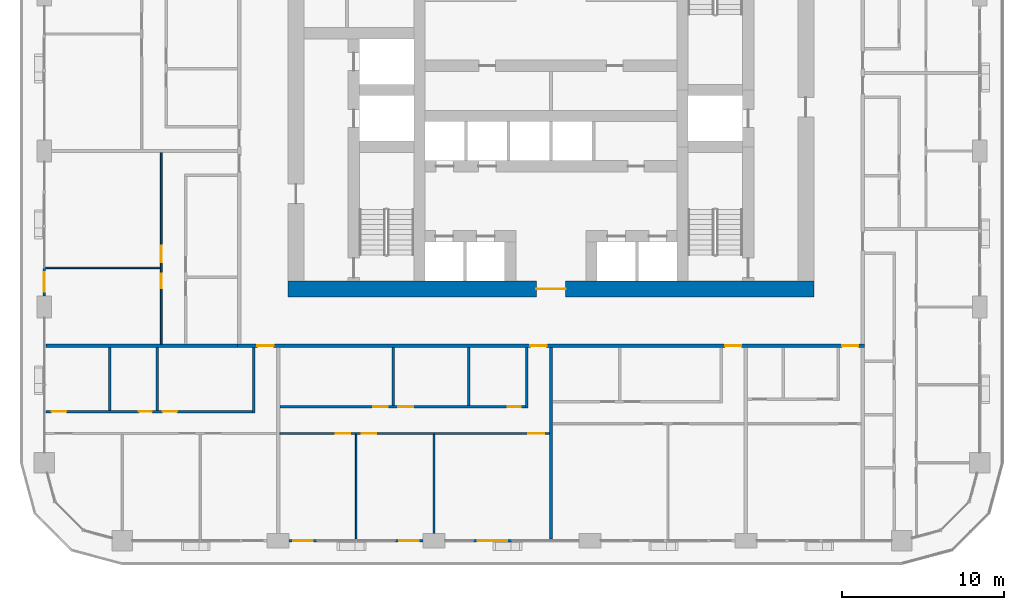
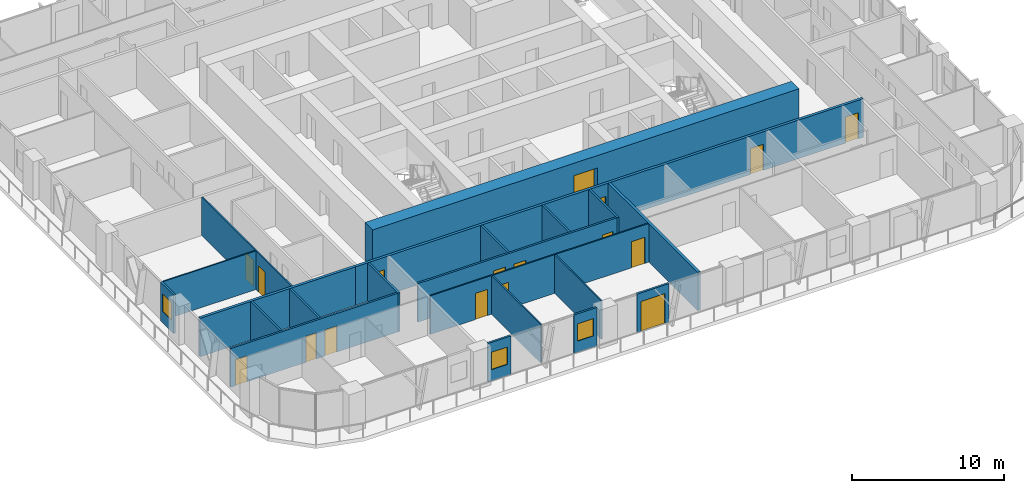
# One storey, part 9 of 21: 21 walls, 17 doors, 3 windows, 20 openings.
"""IFC4 building model written with IfcOpenShell, lengths in metres."""

from ifc_helpers import new_model, si_unit, direction, frame, frame_2d, origin, place, context, subcontext, project, spatial, rectangle, extrude, material, layer, layer_set, type_object, element, fill, save


model = new_model("IFC4")

# Units and contexts
model_context = context("Model", 3, precision=1e-05, world=origin(), true_north=direction((0.0, 1.0)))
body_context = subcontext(model_context, "Body", "Model", "MODEL_VIEW")
ifc_project = project(units=[si_unit("LENGTHUNIT", "METRE"), si_unit("AREAUNIT", "SQUARE_METRE"), si_unit("VOLUMEUNIT", "CUBIC_METRE"), si_unit("PLANEANGLEUNIT", "RADIAN"), si_unit("MASSUNIT", "GRAM", prefix="KILO")], contexts=[model_context])

# Site, building, storey
site_placement = place(None, origin())
site = spatial("IfcSite", under=ifc_project, at=site_placement, CompositionType="ELEMENT")
building_placement = place(site_placement, origin())
building = spatial("IfcBuilding", under=site, at=building_placement, Name="Madar Terraces", CompositionType="ELEMENT")
storey_placement = place(building_placement, frame((0.0, 0.0, 50.39990234375)))
storey = spatial("IfcBuildingStorey", under=building, at=storey_placement, Name="L12", CompositionType="ELEMENT", Elevation=50.39990234375)

# Wall, opening, door
ifc_material_1 = material(Name="Concrete C80/95", Category="concrete")
ifc_layer_1 = layer(ifc_material_1, 1.0)
ifc_layer_set_1 = layer_set([ifc_layer_1], Name="Concrete C80/95 (CRW1 RC wall 1000)")
wall_type_1 = type_object("IfcWallType", Name="CRW1 RC wall 1000", PredefinedType="SHEAR", material=ifc_layer_set_1)
wall_1_placement = place(storey_placement, frame((15.0, 15.5, 0.0), z_axis=(0.0, 0.0, 1.0), x_axis=(1.0, 0.0, 0.0)))
wall_1 = element("IfcWall", 1, at=wall_1_placement, inside=storey, type_object=wall_type_1, Name="CORE OUTER WALL", PredefinedType="SHEAR", context=body_context, shape_type="SweptSolid", body=[
    extrude(rectangle(XDim=32.39990234375, YDim=1.0, at=frame_2d((16.199951171875, 0.0))), origin(), (0.0, 0.0, 1.0), 3.10009765625),
])
opening_1_placement = place(wall_1_placement, frame((15.300048828125, 0.0, 0.0)))
opening_1 = element("IfcOpeningElement", 2, at=opening_1_placement, cuts=wall_1, Name="Opening KD1", PredefinedType="OPENING", context=body_context, shape_type="SweptSolid", body=[
    extrude(rectangle(XDim=1.800048828125, YDim=2.10009765625, at=frame_2d((0.89990234375, 1.050048828125))), frame((0.0, 0.510009765625, 0.0), z_axis=(0.0, -1.0, 0.0), x_axis=(1.0, 0.0, 0.0)), (0.0, 0.0, 1.0), 1.02001953125),
])
ifc_material_2 = material(Name="Steel door leaf", Category="steel")
door_type_1 = type_object("IfcDoorType", Name="Lobby door pair 1800 x 2100", OperationType="DOUBLE_DOOR_SINGLE_SWING", PredefinedType="DOOR", material=ifc_material_2)
door_1_placement = place(opening_1_placement, frame((1.800048828125, 0.0, 0.0), z_axis=(0.0, 0.0, 1.0), x_axis=(-1.0, 0.0, 0.0)))
door_1 = element("IfcDoor", 3, at=door_1_placement, inside=storey, type_object=door_type_1, Name="LIFT LOBBY DOOR", OperationType="DOUBLE_DOOR_SINGLE_SWING", OverallHeight=2.10009765625, OverallWidth=1.800048828125, PredefinedType="DOOR", context=body_context, shape_type="SweptSolid", body=[
    extrude(rectangle(XDim=1.800048828125, YDim=2.10009765625, at=frame_2d((0.89990234375, 1.050048828125))), frame((0.0, 0.02490234375, 0.0), z_axis=(0.0, -1.0, 0.0), x_axis=(1.0, 0.0, 0.0)), (0.0, 0.0, 1.0), 0.050048828125),
])
fill(opening_1, door_1)

# Wall, opening, window
ifc_material_3 = material(Name="Aluminium composite panel, black, over insulated backing", Category="aluminium")
ifc_layer_2 = layer(ifc_material_3, 0.14990234375)
ifc_layer_set_2 = layer_set([ifc_layer_2], Name="Facade bay panel 150")
wall_type_2 = type_object("IfcWallType", Name="Facade bay panel 150", PredefinedType="SOLIDWALL", material=ifc_layer_set_2)
wall_2_placement = place(storey_placement, frame((15.074951171875, 0.0, 0.0), z_axis=(0.0, 0.0, 1.0), x_axis=(1.0, 0.0, 0.0)))
wall_2 = element("IfcWall", 4, at=wall_2_placement, inside=storey, type_object=wall_type_2, Name="Facade bay panel", PredefinedType="SOLIDWALL", context=body_context, shape_type="SweptSolid", body=[
    extrude(rectangle(XDim=1.72509765625, YDim=0.14990234375, at=frame_2d((0.862548828125, 0.0))), origin(), (0.0, 0.0, 1.0), 3.10009765625),
])
opening_2_placement = place(wall_2_placement, frame((0.262451171875, 0.0, 0.89990234375)))
opening_2 = element("IfcOpeningElement", 5, at=opening_2_placement, cuts=wall_2, Name="Opening W1", PredefinedType="OPENING", context=body_context, shape_type="SweptSolid", body=[
    extrude(rectangle(XDim=1.199951171875, YDim=1.39990234375, at=frame_2d((0.60009765625, 0.699951171875))), frame((0.0, 0.0849609375, 0.0), z_axis=(0.0, -1.0, 0.0), x_axis=(1.0, 0.0, 0.0)), (0.0, 0.0, 1.0), 0.169921875),
])
ifc_material_4 = material(Name="Glass, clear, with black aluminium frame", Category="aluminium")
window_type = type_object("IfcWindowType", Name="Vent window 1200 x 1400", PartitioningType="SINGLE_PANEL", PredefinedType="WINDOW", material=ifc_material_4)
window_1_placement = place(opening_2_placement, origin())
window_1 = element("IfcWindow", 6, at=window_1_placement, inside=storey, type_object=window_type, Name="Operable vent window", OverallHeight=1.39990234375, OverallWidth=1.199951171875, PartitioningType="SINGLE_PANEL", PredefinedType="WINDOW", context=body_context, shape_type="SweptSolid", body=[
    extrude(rectangle(XDim=1.199951171875, YDim=1.39990234375, at=frame_2d((0.60009765625, 0.699951171875))), frame((0.0, 0.030029296875, 0.0), z_axis=(0.0, -1.0, 0.0), x_axis=(1.0, 0.0, 0.0)), (0.0, 0.0, 1.0), 0.06005859375),
])
fill(opening_2, window_1)

wall_3_placement = place(storey_placement, frame((21.60009765625, 0.0, 0.0), z_axis=(0.0, 0.0, 1.0), x_axis=(1.0, 0.0, 0.0)))
wall_3 = element("IfcWall", 7, at=wall_3_placement, inside=storey, type_object=wall_type_2, Name="Facade bay panel", PredefinedType="SOLIDWALL", context=body_context, shape_type="SweptSolid", body=[
    extrude(rectangle(XDim=1.724853515625, YDim=0.14990234375, at=frame_2d((0.8623046875, 0.0))), origin(), (0.0, 0.0, 1.0), 3.10009765625),
])
opening_3_placement = place(wall_3_placement, frame((0.262451171875, 0.0, 0.89990234375)))
opening_3 = element("IfcOpeningElement", 8, at=opening_3_placement, cuts=wall_3, Name="Opening W1", PredefinedType="OPENING", context=body_context, shape_type="SweptSolid", body=[
    extrude(rectangle(XDim=1.199951171875, YDim=1.39990234375, at=frame_2d((0.60009765625, 0.699951171875))), frame((0.0, 0.0849609375, 0.0), z_axis=(0.0, -1.0, 0.0), x_axis=(1.0, 0.0, 0.0)), (0.0, 0.0, 1.0), 0.169921875),
])
window_2_placement = place(opening_3_placement, origin())
window_2 = element("IfcWindow", 9, at=window_2_placement, inside=storey, type_object=window_type, Name="Operable vent window", OverallHeight=1.39990234375, OverallWidth=1.199951171875, PartitioningType="SINGLE_PANEL", PredefinedType="WINDOW", context=body_context, shape_type="SweptSolid", body=[
    extrude(rectangle(XDim=1.199951171875, YDim=1.39990234375, at=frame_2d((0.60009765625, 0.699951171875))), frame((0.0, 0.030029296875, 0.0), z_axis=(0.0, -1.0, 0.0), x_axis=(1.0, 0.0, 0.0)), (0.0, 0.0, 1.0), 0.06005859375),
])
fill(opening_3, window_2)

# Wall, opening, door
wall_4_placement = place(storey_placement, frame((26.39990234375, 0.0, 0.0), z_axis=(0.0, 0.0, 1.0), x_axis=(1.0, 0.0, 0.0)))
wall_4 = element("IfcWall", 10, at=wall_4_placement, inside=storey, type_object=wall_type_2, Name="Facade bay panel", PredefinedType="SOLIDWALL", context=body_context, shape_type="SweptSolid", body=[
    extrude(rectangle(XDim=2.400146484375, YDim=0.14990234375, at=frame_2d((1.2001953125, 0.0))), origin(), (0.0, 0.0, 1.0), 3.10009765625),
])
opening_4_placement = place(wall_4_placement, frame((0.300048828125, 0.0, 0.0)))
opening_4 = element("IfcOpeningElement", 11, at=opening_4_placement, cuts=wall_4, Name="Opening ED1", PredefinedType="OPENING", context=body_context, shape_type="SweptSolid", body=[
    extrude(rectangle(XDim=1.800048828125, YDim=2.39990234375, at=frame_2d((0.89990234375, 1.199951171875))), frame((0.0, 0.0849609375, 0.0), z_axis=(0.0, -1.0, 0.0), x_axis=(1.0, 0.0, 0.0)), (0.0, 0.0, 1.0), 0.169921875),
])
ifc_material_5 = material(Name="Glass, clear, with black aluminium frame", Category="aluminium")
door_type_2 = type_object("IfcDoorType", Name="Balcony and terrace sliding door 1800 x 2400", OperationType="SLIDING_TO_LEFT", PredefinedType="DOOR", material=ifc_material_5)
door_2_placement = place(opening_4_placement, origin())
door_2 = element("IfcDoor", 12, at=door_2_placement, inside=storey, type_object=door_type_2, Name="Balcony door", OperationType="SLIDING_TO_LEFT", OverallHeight=2.39990234375, OverallWidth=1.800048828125, PredefinedType="DOOR", context=body_context, shape_type="SweptSolid", body=[
    extrude(rectangle(XDim=1.800048828125, YDim=2.39990234375, at=frame_2d((0.89990234375, 1.199951171875))), frame((0.0, 0.02490234375, 0.0), z_axis=(0.0, -1.0, 0.0), x_axis=(1.0, 0.0, 0.0)), (0.0, 0.0, 1.0), 0.050048828125),
])
fill(opening_4, door_2)

# Wall, opening, window
wall_5_placement = place(storey_placement, frame((0.0, 16.800048828125, 0.0), z_axis=(0.0, 0.0, 1.0), x_axis=(0.0, -1.0, 0.0)))
wall_5 = element("IfcWall", 13, at=wall_5_placement, inside=storey, type_object=wall_type_2, Name="Facade bay panel", PredefinedType="SOLIDWALL", context=body_context, shape_type="SweptSolid", body=[
    extrude(rectangle(XDim=1.72509765625, YDim=0.14990234375, at=frame_2d((0.862548828125, 0.0))), origin(), (0.0, 0.0, 1.0), 3.10009765625),
])
opening_5_placement = place(wall_5_placement, frame((0.262451171875, 0.0, 0.89990234375)))
opening_5 = element("IfcOpeningElement", 14, at=opening_5_placement, cuts=wall_5, Name="Opening W1", PredefinedType="OPENING", context=body_context, shape_type="SweptSolid", body=[
    extrude(rectangle(XDim=1.199951171875, YDim=1.39990234375, at=frame_2d((0.60009765625, 0.699951171875))), frame((0.0, 0.0849609375, 0.0), z_axis=(0.0, -1.0, 0.0), x_axis=(1.0, 0.0, 0.0)), (0.0, 0.0, 1.0), 0.169921875),
])
window_3_placement = place(opening_5_placement, origin())
window_3 = element("IfcWindow", 15, at=window_3_placement, inside=storey, type_object=window_type, Name="Operable vent window", OverallHeight=1.39990234375, OverallWidth=1.199951171875, PartitioningType="SINGLE_PANEL", PredefinedType="WINDOW", context=body_context, shape_type="SweptSolid", body=[
    extrude(rectangle(XDim=1.199951171875, YDim=1.39990234375, at=frame_2d((0.60009765625, 0.699951171875))), frame((0.0, 0.030029296875, 0.0), z_axis=(0.0, -1.0, 0.0), x_axis=(1.0, 0.0, 0.0)), (0.0, 0.0, 1.0), 0.06005859375),
])
fill(opening_5, window_3)

# Walls
ifc_material_6 = material(Name="Gypsum board on steel studs", Category="steel")
ifc_layer_3 = layer(ifc_material_6, 0.10009765625)
ifc_layer_set_3 = layer_set([ifc_layer_3], Name="Flat partition 100")
wall_type_3 = type_object("IfcWallType", Name="Flat partition 100", PredefinedType="PARTITIONING", material=ifc_layer_set_3)
wall_6_placement = place(storey_placement, frame((24.0, 6.550048828125, 0.0), z_axis=(0.0, 0.0, 1.0), x_axis=(0.0, -1.0, 0.0)))
element("IfcWall", 16, at=wall_6_placement, inside=storey, type_object=wall_type_3, Name="Flat partition 100", PredefinedType="PARTITIONING", context=body_context, shape_type="SweptSolid", body=[
    extrude(rectangle(XDim=6.10009765625, YDim=0.10009765625, at=frame_2d((3.050048828125, 0.0))), origin(), (0.0, 0.0, 1.0), 3.10009765625),
])
wall_7_placement = place(storey_placement, frame((19.199951171875, 6.550048828125, 0.0), z_axis=(0.0, 0.0, 1.0), x_axis=(0.0, -1.0, 0.0)))
element("IfcWall", 17, at=wall_7_placement, inside=storey, type_object=wall_type_3, Name="Flat partition 100", PredefinedType="PARTITIONING", context=body_context, shape_type="SweptSolid", body=[
    extrude(rectangle(XDim=6.449951171875, YDim=0.10009765625, at=frame_2d((3.22509765625, 0.0))), origin(), (0.0, 0.0, 1.0), 3.10009765625),
])

# Wall, openings, doors
wall_8_placement = place(storey_placement, frame((31.10009765625, 6.60009765625, 0.0), z_axis=(0.0, 0.0, 1.0), x_axis=(-1.0, 0.0, 0.0)))
wall_8 = element("IfcWall", 18, at=wall_8_placement, inside=storey, type_object=wall_type_3, Name="Flat partition 100", PredefinedType="PARTITIONING", context=body_context, shape_type="SweptSolid", body=[
    extrude(rectangle(XDim=16.60009765625, YDim=0.10009765625, at=frame_2d((8.300048828125, 0.0))), origin(), (0.0, 0.0, 1.0), 3.10009765625),
])
opening_6_placement = place(wall_8_placement, frame((0.300048828125, 0.0, 0.0)))
opening_6 = element("IfcOpeningElement", 19, at=opening_6_placement, cuts=wall_8, Name="Opening D3", PredefinedType="OPENING", context=body_context, shape_type="SweptSolid", body=[
    extrude(rectangle(XDim=1.0, YDim=2.10009765625, at=frame_2d((0.5, 1.050048828125))), frame((0.0, 0.06005859375, 0.0), z_axis=(0.0, -1.0, 0.0), x_axis=(1.0, 0.0, 0.0)), (0.0, 0.0, 1.0), 0.1201171875),
])
opening_7_placement = place(wall_8_placement, frame((10.64990234375, 0.0, 0.0)))
opening_7 = element("IfcOpeningElement", 20, at=opening_7_placement, cuts=wall_8, Name="Opening D2", PredefinedType="OPENING", context=body_context, shape_type="SweptSolid", body=[
    extrude(rectangle(XDim=0.89990234375, YDim=2.10009765625, at=frame_2d((0.449951171875, 1.050048828125))), frame((0.0, 0.06005859375, 0.0), z_axis=(0.0, -1.0, 0.0), x_axis=(1.0, 0.0, 0.0)), (0.0, 0.0, 1.0), 0.1201171875),
])
opening_8_placement = place(wall_8_placement, frame((12.25, 0.0, 0.0)))
opening_8 = element("IfcOpeningElement", 21, at=opening_8_placement, cuts=wall_8, Name="Opening D2", PredefinedType="OPENING", context=body_context, shape_type="SweptSolid", body=[
    extrude(rectangle(XDim=0.89990234375, YDim=2.10009765625, at=frame_2d((0.449951171875, 1.050048828125))), frame((0.0, 0.06005859375, 0.0), z_axis=(0.0, -1.0, 0.0), x_axis=(1.0, 0.0, 0.0)), (0.0, 0.0, 1.0), 0.1201171875),
])
ifc_material_7 = material(Name="Timber door leaf", Category="wood")
door_type_3 = type_object("IfcDoorType", Name="Flat living room door 1000", OperationType="NOTDEFINED", PredefinedType="DOOR", material=ifc_material_7)
door_3_placement = place(opening_6_placement, origin())
door_3 = element("IfcDoor", 22, at=door_3_placement, inside=storey, type_object=door_type_3, Name="Flat living room door 1000", OperationType="SINGLE_SWING_LEFT", OverallHeight=2.10009765625, OverallWidth=1.0, PredefinedType="DOOR", context=body_context, shape_type="SweptSolid", body=[
    extrude(rectangle(XDim=1.0, YDim=2.10009765625, at=frame_2d((0.5, 1.050048828125))), frame((0.0, 0.02490234375, 0.0), z_axis=(0.0, -1.0, 0.0), x_axis=(1.0, 0.0, 0.0)), (0.0, 0.0, 1.0), 0.050048828125),
])
fill(opening_6, door_3)
ifc_material_8 = material(Name="Timber door leaf", Category="wood")
door_type_4 = type_object("IfcDoorType", Name="Flat room door 900", OperationType="NOTDEFINED", PredefinedType="DOOR", material=ifc_material_8)
door_4_placement = place(opening_7_placement, origin())
door_4 = element("IfcDoor", 23, at=door_4_placement, inside=storey, type_object=door_type_4, Name="Flat room door 900", OperationType="SINGLE_SWING_RIGHT", OverallHeight=2.10009765625, OverallWidth=0.89990234375, PredefinedType="DOOR", context=body_context, shape_type="SweptSolid", body=[
    extrude(rectangle(XDim=0.89990234375, YDim=2.10009765625, at=frame_2d((0.449951171875, 1.050048828125))), frame((0.0, 0.02490234375, 0.0), z_axis=(0.0, -1.0, 0.0), x_axis=(1.0, 0.0, 0.0)), (0.0, 0.0, 1.0), 0.050048828125),
])
fill(opening_7, door_4)
door_5_placement = place(opening_8_placement, origin())
door_5 = element("IfcDoor", 24, at=door_5_placement, inside=storey, type_object=door_type_4, Name="Flat room door 900", OperationType="SINGLE_SWING_LEFT", OverallHeight=2.10009765625, OverallWidth=0.89990234375, PredefinedType="DOOR", context=body_context, shape_type="SweptSolid", body=[
    extrude(rectangle(XDim=0.89990234375, YDim=2.10009765625, at=frame_2d((0.449951171875, 1.050048828125))), frame((0.0, 0.02490234375, 0.0), z_axis=(0.0, -1.0, 0.0), x_axis=(1.0, 0.0, 0.0)), (0.0, 0.0, 1.0), 0.050048828125),
])
fill(opening_8, door_5)

# Wall
wall_9_placement = place(storey_placement, frame((7.14990234375, 16.800048828125, 0.0), z_axis=(0.0, 0.0, 1.0), x_axis=(-1.0, 0.0, 0.0)))
element("IfcWall", 25, at=wall_9_placement, inside=storey, type_object=wall_type_3, Name="Flat partition 100", PredefinedType="PARTITIONING", context=body_context, shape_type="SweptSolid", body=[
    extrude(rectangle(XDim=7.0498046875, YDim=0.10009765625, at=frame_2d((3.52490234375, 0.0))), origin(), (0.0, 0.0, 1.0), 3.10009765625),
])

# Wall, openings, doors
wall_10_placement = place(storey_placement, frame((7.199951171875, 12.10009765625, 0.0), z_axis=(0.0, 0.0, 1.0), x_axis=(0.0, 1.0, 0.0)))
wall_10 = element("IfcWall", 26, at=wall_10_placement, inside=storey, type_object=wall_type_3, Name="Flat partition 100", PredefinedType="PARTITIONING", context=body_context, shape_type="SweptSolid", body=[
    extrude(rectangle(XDim=11.7998046875, YDim=0.10009765625, at=frame_2d((5.89990234375, 0.0))), origin(), (0.0, 0.0, 1.0), 3.10009765625),
])
opening_9_placement = place(wall_10_placement, frame((5.050048828125, 0.0, 0.0)))
opening_9 = element("IfcOpeningElement", 27, at=opening_9_placement, cuts=wall_10, Name="Opening D3", PredefinedType="OPENING", context=body_context, shape_type="SweptSolid", body=[
    extrude(rectangle(XDim=1.0, YDim=2.10009765625, at=frame_2d((0.5, 1.050048828125))), frame((0.0, 0.06005859375, 0.0), z_axis=(0.0, -1.0, 0.0), x_axis=(1.0, 0.0, 0.0)), (0.0, 0.0, 1.0), 0.1201171875),
])
opening_10_placement = place(wall_10_placement, frame((3.449951171875, 0.0, 0.0)))
opening_10 = element("IfcOpeningElement", 28, at=opening_10_placement, cuts=wall_10, Name="Opening D2", PredefinedType="OPENING", context=body_context, shape_type="SweptSolid", body=[
    extrude(rectangle(XDim=0.89990234375, YDim=2.10009765625, at=frame_2d((0.449951171875, 1.050048828125))), frame((0.0, 0.06005859375, 0.0), z_axis=(0.0, -1.0, 0.0), x_axis=(1.0, 0.0, 0.0)), (0.0, 0.0, 1.0), 0.1201171875),
])
door_6_placement = place(opening_9_placement, origin())
door_6 = element("IfcDoor", 29, at=door_6_placement, inside=storey, type_object=door_type_3, Name="Flat living room door 1000", OperationType="SINGLE_SWING_LEFT", OverallHeight=2.10009765625, OverallWidth=1.0, PredefinedType="DOOR", context=body_context, shape_type="SweptSolid", body=[
    extrude(rectangle(XDim=1.0, YDim=2.10009765625, at=frame_2d((0.5, 1.050048828125))), frame((0.0, 0.02490234375, 0.0), z_axis=(0.0, -1.0, 0.0), x_axis=(1.0, 0.0, 0.0)), (0.0, 0.0, 1.0), 0.050048828125),
])
fill(opening_9, door_6)
door_7_placement = place(opening_10_placement, origin())
door_7 = element("IfcDoor", 30, at=door_7_placement, inside=storey, type_object=door_type_4, Name="Flat room door 900", OperationType="SINGLE_SWING_RIGHT", OverallHeight=2.10009765625, OverallWidth=0.89990234375, PredefinedType="DOOR", context=body_context, shape_type="SweptSolid", body=[
    extrude(rectangle(XDim=0.89990234375, YDim=2.10009765625, at=frame_2d((0.449951171875, 1.050048828125))), frame((0.0, 0.02490234375, 0.0), z_axis=(0.0, -1.0, 0.0), x_axis=(1.0, 0.0, 0.0)), (0.0, 0.0, 1.0), 0.050048828125),
])
fill(opening_10, door_7)

ifc_material_9 = material(Name="Lightweight blockwork", Category="masonry")
ifc_layer_4 = layer(ifc_material_9, 0.199951171875)
ifc_layer_set_4 = layer_set([ifc_layer_4], Name="Flat party and entrance wall 200")
wall_type_4 = type_object("IfcWallType", Name="Flat party and entrance wall 200", PredefinedType="PARTITIONING", material=ifc_layer_set_4)
wall_11_placement = place(storey_placement, frame((50.5, 12.0, 0.0), z_axis=(0.0, 0.0, 1.0), x_axis=(-1.0, 0.0, 0.0)))
wall_11 = element("IfcWall", 31, at=wall_11_placement, inside=storey, type_object=wall_type_4, Name="Flat party and entrance wall 200", PredefinedType="PARTITIONING", context=body_context, shape_type="SweptSolid", body=[
    extrude(rectangle(XDim=38.60009765625, YDim=0.199951171875, at=frame_2d((19.300048828125, 0.0))), origin(), (0.0, 0.0, 1.0), 3.10009765625),
])
opening_11_placement = place(wall_11_placement, frame((36.375, 0.0, 0.0)))
opening_11 = element("IfcOpeningElement", 32, at=opening_11_placement, cuts=wall_11, Name="Opening D1", PredefinedType="OPENING", context=body_context, shape_type="SweptSolid", body=[
    extrude(rectangle(XDim=1.0, YDim=2.10009765625, at=frame_2d((0.5, 1.050048828125))), frame((0.0, 0.10986328125, 0.0), z_axis=(0.0, -1.0, 0.0), x_axis=(1.0, 0.0, 0.0)), (0.0, 0.0, 1.0), 0.219970703125),
])
opening_12_placement = place(wall_11_placement, frame((19.574951171875, 0.0, 0.0)))
opening_12 = element("IfcOpeningElement", 33, at=opening_12_placement, cuts=wall_11, Name="Opening D1", PredefinedType="OPENING", context=body_context, shape_type="SweptSolid", body=[
    extrude(rectangle(XDim=1.0, YDim=2.10009765625, at=frame_2d((0.5, 1.050048828125))), frame((0.0, 0.10986328125, 0.0), z_axis=(0.0, -1.0, 0.0), x_axis=(1.0, 0.0, 0.0)), (0.0, 0.0, 1.0), 0.219970703125),
])
opening_13_placement = place(wall_11_placement, frame((7.574951171875, 0.0, 0.0)))
opening_13 = element("IfcOpeningElement", 34, at=opening_13_placement, cuts=wall_11, Name="Opening D1", PredefinedType="OPENING", context=body_context, shape_type="SweptSolid", body=[
    extrude(rectangle(XDim=1.0, YDim=2.10009765625, at=frame_2d((0.5, 1.050048828125))), frame((0.0, 0.10986328125, 0.0), z_axis=(0.0, -1.0, 0.0), x_axis=(1.0, 0.0, 0.0)), (0.0, 0.0, 1.0), 0.219970703125),
])
opening_14_placement = place(wall_11_placement, frame((0.375, 0.0, 0.0)))
opening_14 = element("IfcOpeningElement", 35, at=opening_14_placement, cuts=wall_11, Name="Opening D1", PredefinedType="OPENING", context=body_context, shape_type="SweptSolid", body=[
    extrude(rectangle(XDim=1.0, YDim=2.10009765625, at=frame_2d((0.5, 1.050048828125))), frame((0.0, 0.10986328125, 0.0), z_axis=(0.0, -1.0, 0.0), x_axis=(1.0, 0.0, 0.0)), (0.0, 0.0, 1.0), 0.219970703125),
])
ifc_material_10 = material(Name="Timber fire door leaf", Category="wood")
door_type_5 = type_object("IfcDoorType", Name="Flat entrance door 1000 FD30S", OperationType="NOTDEFINED", PredefinedType="DOOR", material=ifc_material_10)
door_8_placement = place(opening_11_placement, origin())
door_8 = element("IfcDoor", 36, at=door_8_placement, inside=storey, type_object=door_type_5, Name="Flat entrance door 1000 FD30S", OperationType="SINGLE_SWING_LEFT", OverallHeight=2.10009765625, OverallWidth=1.0, PredefinedType="DOOR", context=body_context, shape_type="SweptSolid", body=[
    extrude(rectangle(XDim=1.0, YDim=2.10009765625, at=frame_2d((0.5, 1.050048828125))), frame((0.0, 0.02490234375, 0.0), z_axis=(0.0, -1.0, 0.0), x_axis=(1.0, 0.0, 0.0)), (0.0, 0.0, 1.0), 0.050048828125),
])
fill(opening_11, door_8)
door_9_placement = place(opening_12_placement, origin())
door_9 = element("IfcDoor", 37, at=door_9_placement, inside=storey, type_object=door_type_5, Name="Flat entrance door 1000 FD30S", OperationType="SINGLE_SWING_LEFT", OverallHeight=2.10009765625, OverallWidth=1.0, PredefinedType="DOOR", context=body_context, shape_type="SweptSolid", body=[
    extrude(rectangle(XDim=1.0, YDim=2.10009765625, at=frame_2d((0.5, 1.050048828125))), frame((0.0, 0.02490234375, 0.0), z_axis=(0.0, -1.0, 0.0), x_axis=(1.0, 0.0, 0.0)), (0.0, 0.0, 1.0), 0.050048828125),
])
fill(opening_12, door_9)
door_10_placement = place(opening_13_placement, origin())
door_10 = element("IfcDoor", 38, at=door_10_placement, inside=storey, type_object=door_type_5, Name="Flat entrance door 1000 FD30S", OperationType="SINGLE_SWING_LEFT", OverallHeight=2.10009765625, OverallWidth=1.0, PredefinedType="DOOR", context=body_context, shape_type="SweptSolid", body=[
    extrude(rectangle(XDim=1.0, YDim=2.10009765625, at=frame_2d((0.5, 1.050048828125))), frame((0.0, 0.02490234375, 0.0), z_axis=(0.0, -1.0, 0.0), x_axis=(1.0, 0.0, 0.0)), (0.0, 0.0, 1.0), 0.050048828125),
])
fill(opening_13, door_10)
door_11_placement = place(opening_14_placement, origin())
door_11 = element("IfcDoor", 39, at=door_11_placement, inside=storey, type_object=door_type_5, Name="Flat entrance door 1000 FD30S", OperationType="SINGLE_SWING_LEFT", OverallHeight=2.10009765625, OverallWidth=1.0, PredefinedType="DOOR", context=body_context, shape_type="SweptSolid", body=[
    extrude(rectangle(XDim=1.0, YDim=2.10009765625, at=frame_2d((0.5, 1.050048828125))), frame((0.0, 0.02490234375, 0.0), z_axis=(0.0, -1.0, 0.0), x_axis=(1.0, 0.0, 0.0)), (0.0, 0.0, 1.0), 0.050048828125),
])
fill(opening_14, door_11)

# Walls
for number, where, z_axis, x_axis, name in (
    (40, (0.10009765625, 12.0, 0.0), (0.0, 0.0, 1.0), (1.0, 0.0, 0.0), "Flat party and entrance wall 200"),
    (41, (31.199951171875, 11.89990234375, 0.0), (0.0, 0.0, 1.0), (0.0, -1.0, 0.0), "Flat party and entrance wall 200"),
):
    element("IfcWall", number, at=place(storey_placement, frame(where, z_axis=z_axis, x_axis=x_axis)), inside=storey, type_object=wall_type_4, Name=name, PredefinedType="PARTITIONING", context=body_context, shape_type="SweptSolid", body=[
        extrude(rectangle(XDim=11.7998046875, YDim=0.199951171875, at=frame_2d((5.89990234375, 0.0))), origin(), (0.0, 0.0, 1.0), 3.10009765625),
    ])
ifc_material_11 = material(Name="Lightweight blockwork", Category="masonry")
ifc_layer_5 = layer(ifc_material_11, 0.14990234375)
ifc_layer_set_5 = layer_set([ifc_layer_5], Name="Flat wet-room partition 150")
wall_type_5 = type_object("IfcWallType", Name="Flat wet-room partition 150", PredefinedType="PARTITIONING", material=ifc_layer_set_5)
for number, where, z_axis, x_axis, name in (
    (42, (6.951904296875, 11.89990234375, 0.0), (0.0, 0.0, 1.0), (0.0, -1.0, 0.0), "Flat wet-room partition 150"),
    (43, (4.015380859375, 11.89990234375, 0.0), (0.0, 0.0, 1.0), (0.0, -1.0, 0.0), "Flat wet-room partition 150"),
):
    element("IfcWall", number, at=place(storey_placement, frame(where, z_axis=z_axis, x_axis=x_axis)), inside=storey, type_object=wall_type_5, Name=name, PredefinedType="PARTITIONING", context=body_context, shape_type="SweptSolid", body=[
        extrude(rectangle(XDim=3.875, YDim=0.14990234375, at=frame_2d((1.9375, 0.0))), origin(), (0.0, 0.0, 1.0), 3.10009765625),
    ])
wall_12_placement = place(storey_placement, frame((12.89990234375, 11.89990234375, 0.0), z_axis=(0.0, 0.0, 1.0), x_axis=(0.0, -1.0, 0.0)))
element("IfcWall", 44, at=wall_12_placement, inside=storey, type_object=wall_type_5, Name="Flat wet-room partition 150", PredefinedType="PARTITIONING", context=body_context, shape_type="SweptSolid", body=[
    extrude(rectangle(XDim=4.02490234375, YDim=0.14990234375, at=frame_2d((2.012451171875, 0.0))), origin(), (0.0, 0.0, 1.0), 3.10009765625),
])

# Wall, openings, doors
wall_13_placement = place(storey_placement, frame((0.10009765625, 7.949951171875, 0.0), z_axis=(0.0, 0.0, 1.0), x_axis=(1.0, 0.0, 0.0)))
wall_13 = element("IfcWall", 45, at=wall_13_placement, inside=storey, type_object=wall_type_5, Name="Flat wet-room partition 150", PredefinedType="PARTITIONING", context=body_context, shape_type="SweptSolid", body=[
    extrude(rectangle(XDim=12.724853515625, YDim=0.14990234375, at=frame_2d((6.3623046875, 0.0))), origin(), (0.0, 0.0, 1.0), 3.10009765625),
])
opening_15_placement = place(wall_13_placement, frame((7.177001953125, 0.0, 0.0)))
opening_15 = element("IfcOpeningElement", 46, at=opening_15_placement, cuts=wall_13, Name="Opening D2", PredefinedType="OPENING", context=body_context, shape_type="SweptSolid", body=[
    extrude(rectangle(XDim=0.89990234375, YDim=2.10009765625, at=frame_2d((0.449951171875, 1.050048828125))), frame((0.0, 0.0849609375, 0.0), z_axis=(0.0, -1.0, 0.0), x_axis=(1.0, 0.0, 0.0)), (0.0, 0.0, 1.0), 0.169921875),
])
opening_16_placement = place(wall_13_placement, frame((5.726806640625, 0.0, 0.0)))
opening_16 = element("IfcOpeningElement", 47, at=opening_16_placement, cuts=wall_13, Name="Opening D4", PredefinedType="OPENING", context=body_context, shape_type="SweptSolid", body=[
    extrude(rectangle(XDim=0.800048828125, YDim=2.10009765625, at=frame_2d((0.39990234375, 1.050048828125))), frame((0.0, 0.0849609375, 0.0), z_axis=(0.0, -1.0, 0.0), x_axis=(1.0, 0.0, 0.0)), (0.0, 0.0, 1.0), 0.169921875),
])
opening_17_placement = place(wall_13_placement, frame((0.35009765625, 0.0, 0.0)))
opening_17 = element("IfcOpeningElement", 48, at=opening_17_placement, cuts=wall_13, Name="Opening D5", PredefinedType="OPENING", context=body_context, shape_type="SweptSolid", body=[
    extrude(rectangle(XDim=0.89990234375, YDim=2.10009765625, at=frame_2d((0.449951171875, 1.050048828125))), frame((0.0, 0.0849609375, 0.0), z_axis=(0.0, -1.0, 0.0), x_axis=(1.0, 0.0, 0.0)), (0.0, 0.0, 1.0), 0.169921875),
])
ifc_material_12 = material(Name="Timber door leaf", Category="wood")
door_type_6 = type_object("IfcDoorType", Name="Flat accessible bathroom door 900", OperationType="NOTDEFINED", PredefinedType="DOOR", material=ifc_material_12)
door_12_placement = place(opening_17_placement, origin())
door_12 = element("IfcDoor", 49, at=door_12_placement, inside=storey, type_object=door_type_6, Name="Flat accessible bathroom door 900", OperationType="SINGLE_SWING_LEFT", OverallHeight=2.10009765625, OverallWidth=0.89990234375, PredefinedType="DOOR", context=body_context, shape_type="SweptSolid", body=[
    extrude(rectangle(XDim=0.89990234375, YDim=2.10009765625, at=frame_2d((0.449951171875, 1.050048828125))), frame((0.0, 0.02490234375, 0.0), z_axis=(0.0, -1.0, 0.0), x_axis=(1.0, 0.0, 0.0)), (0.0, 0.0, 1.0), 0.050048828125),
])
fill(opening_17, door_12)
ifc_material_13 = material(Name="Timber door leaf", Category="wood")
door_type_7 = type_object("IfcDoorType", Name="Flat bathroom door 800", OperationType="NOTDEFINED", PredefinedType="DOOR", material=ifc_material_13)
door_13_placement = place(opening_16_placement, origin())
door_13 = element("IfcDoor", 50, at=door_13_placement, inside=storey, type_object=door_type_7, Name="Flat bathroom door 800", OperationType="SINGLE_SWING_RIGHT", OverallHeight=2.10009765625, OverallWidth=0.800048828125, PredefinedType="DOOR", context=body_context, shape_type="SweptSolid", body=[
    extrude(rectangle(XDim=0.800048828125, YDim=2.10009765625, at=frame_2d((0.39990234375, 1.050048828125))), frame((0.0, 0.02490234375, 0.0), z_axis=(0.0, -1.0, 0.0), x_axis=(1.0, 0.0, 0.0)), (0.0, 0.0, 1.0), 0.050048828125),
])
fill(opening_16, door_13)
door_14_placement = place(opening_15_placement, origin())
door_14 = element("IfcDoor", 51, at=door_14_placement, inside=storey, type_object=door_type_4, Name="Flat room door 900", OperationType="SINGLE_SWING_LEFT", OverallHeight=2.10009765625, OverallWidth=0.89990234375, PredefinedType="DOOR", context=body_context, shape_type="SweptSolid", body=[
    extrude(rectangle(XDim=0.89990234375, YDim=2.10009765625, at=frame_2d((0.449951171875, 1.050048828125))), frame((0.0, 0.02490234375, 0.0), z_axis=(0.0, -1.0, 0.0), x_axis=(1.0, 0.0, 0.0)), (0.0, 0.0, 1.0), 0.050048828125),
])
fill(opening_15, door_14)

# Walls
for number, where, z_axis, x_axis, name in (
    (52, (26.134521484375, 11.89990234375, 0.0), (0.0, 0.0, 1.0), (0.0, -1.0, 0.0), "Flat wet-room partition 150"),
    (53, (21.480712890625, 11.89990234375, 0.0), (0.0, 0.0, 1.0), (0.0, -1.0, 0.0), "Flat wet-room partition 150"),
):
    element("IfcWall", number, at=place(storey_placement, frame(where, z_axis=z_axis, x_axis=x_axis)), inside=storey, type_object=wall_type_5, Name=name, PredefinedType="PARTITIONING", context=body_context, shape_type="SweptSolid", body=[
        extrude(rectangle(XDim=3.574951171875, YDim=0.14990234375, at=frame_2d((1.78759765625, 0.0))), origin(), (0.0, 0.0, 1.0), 3.10009765625),
    ])
wall_14_placement = place(storey_placement, frame((29.699951171875, 11.89990234375, 0.0), z_axis=(0.0, 0.0, 1.0), x_axis=(0.0, -1.0, 0.0)))
element("IfcWall", 54, at=wall_14_placement, inside=storey, type_object=wall_type_5, Name="Flat wet-room partition 150", PredefinedType="PARTITIONING", context=body_context, shape_type="SweptSolid", body=[
    extrude(rectangle(XDim=3.724853515625, YDim=0.14990234375, at=frame_2d((1.8623046875, 0.0))), origin(), (0.0, 0.0, 1.0), 3.10009765625),
])

# Wall, openings, doors
wall_15_placement = place(storey_placement, frame((14.5, 8.25, 0.0), z_axis=(0.0, 0.0, 1.0), x_axis=(1.0, 0.0, 0.0)))
wall_15 = element("IfcWall", 55, at=wall_15_placement, inside=storey, type_object=wall_type_5, Name="Flat wet-room partition 150", PredefinedType="PARTITIONING", context=body_context, shape_type="SweptSolid", body=[
    extrude(rectangle(XDim=15.125, YDim=0.14990234375, at=frame_2d((7.5625, 0.0))), origin(), (0.0, 0.0, 1.0), 3.10009765625),
])
opening_18_placement = place(wall_15_placement, frame((14.02490234375, 0.0, 0.0)))
opening_18 = element("IfcOpeningElement", 56, at=opening_18_placement, cuts=wall_15, Name="Opening D4", PredefinedType="OPENING", context=body_context, shape_type="SweptSolid", body=[
    extrude(rectangle(XDim=0.800048828125, YDim=2.10009765625, at=frame_2d((0.39990234375, 1.050048828125))), frame((0.0, 0.0849609375, 0.0), z_axis=(0.0, -1.0, 0.0), x_axis=(1.0, 0.0, 0.0)), (0.0, 0.0, 1.0), 0.169921875),
])
opening_19_placement = place(wall_15_placement, frame((7.305908203125, 0.0, 0.0)))
opening_19 = element("IfcOpeningElement", 57, at=opening_19_placement, cuts=wall_15, Name="Opening D5", PredefinedType="OPENING", context=body_context, shape_type="SweptSolid", body=[
    extrude(rectangle(XDim=0.89990234375, YDim=2.10009765625, at=frame_2d((0.449951171875, 1.050048828125))), frame((0.0, 0.0849609375, 0.0), z_axis=(0.0, -1.0, 0.0), x_axis=(1.0, 0.0, 0.0)), (0.0, 0.0, 1.0), 0.169921875),
])
opening_20_placement = place(wall_15_placement, frame((5.755859375, 0.0, 0.0)))
opening_20 = element("IfcOpeningElement", 58, at=opening_20_placement, cuts=wall_15, Name="Opening D2", PredefinedType="OPENING", context=body_context, shape_type="SweptSolid", body=[
    extrude(rectangle(XDim=0.89990234375, YDim=2.10009765625, at=frame_2d((0.449951171875, 1.050048828125))), frame((0.0, 0.0849609375, 0.0), z_axis=(0.0, -1.0, 0.0), x_axis=(1.0, 0.0, 0.0)), (0.0, 0.0, 1.0), 0.169921875),
])
door_15_placement = place(opening_19_placement, origin())
door_15 = element("IfcDoor", 59, at=door_15_placement, inside=storey, type_object=door_type_6, Name="Flat accessible bathroom door 900", OperationType="SINGLE_SWING_LEFT", OverallHeight=2.10009765625, OverallWidth=0.89990234375, PredefinedType="DOOR", context=body_context, shape_type="SweptSolid", body=[
    extrude(rectangle(XDim=0.89990234375, YDim=2.10009765625, at=frame_2d((0.449951171875, 1.050048828125))), frame((0.0, 0.02490234375, 0.0), z_axis=(0.0, -1.0, 0.0), x_axis=(1.0, 0.0, 0.0)), (0.0, 0.0, 1.0), 0.050048828125),
])
fill(opening_19, door_15)
door_16_placement = place(opening_18_placement, origin())
door_16 = element("IfcDoor", 60, at=door_16_placement, inside=storey, type_object=door_type_7, Name="Flat bathroom door 800", OperationType="SINGLE_SWING_RIGHT", OverallHeight=2.10009765625, OverallWidth=0.800048828125, PredefinedType="DOOR", context=body_context, shape_type="SweptSolid", body=[
    extrude(rectangle(XDim=0.800048828125, YDim=2.10009765625, at=frame_2d((0.39990234375, 1.050048828125))), frame((0.0, 0.02490234375, 0.0), z_axis=(0.0, -1.0, 0.0), x_axis=(1.0, 0.0, 0.0)), (0.0, 0.0, 1.0), 0.050048828125),
])
fill(opening_18, door_16)
door_17_placement = place(opening_20_placement, origin())
door_17 = element("IfcDoor", 61, at=door_17_placement, inside=storey, type_object=door_type_4, Name="Flat room door 900", OperationType="SINGLE_SWING_RIGHT", OverallHeight=2.10009765625, OverallWidth=0.89990234375, PredefinedType="DOOR", context=body_context, shape_type="SweptSolid", body=[
    extrude(rectangle(XDim=0.89990234375, YDim=2.10009765625, at=frame_2d((0.449951171875, 1.050048828125))), frame((0.0, 0.02490234375, 0.0), z_axis=(0.0, -1.0, 0.0), x_axis=(1.0, 0.0, 0.0)), (0.0, 0.0, 1.0), 0.050048828125),
])
fill(opening_20, door_17)

save(model, "model.ifc")
